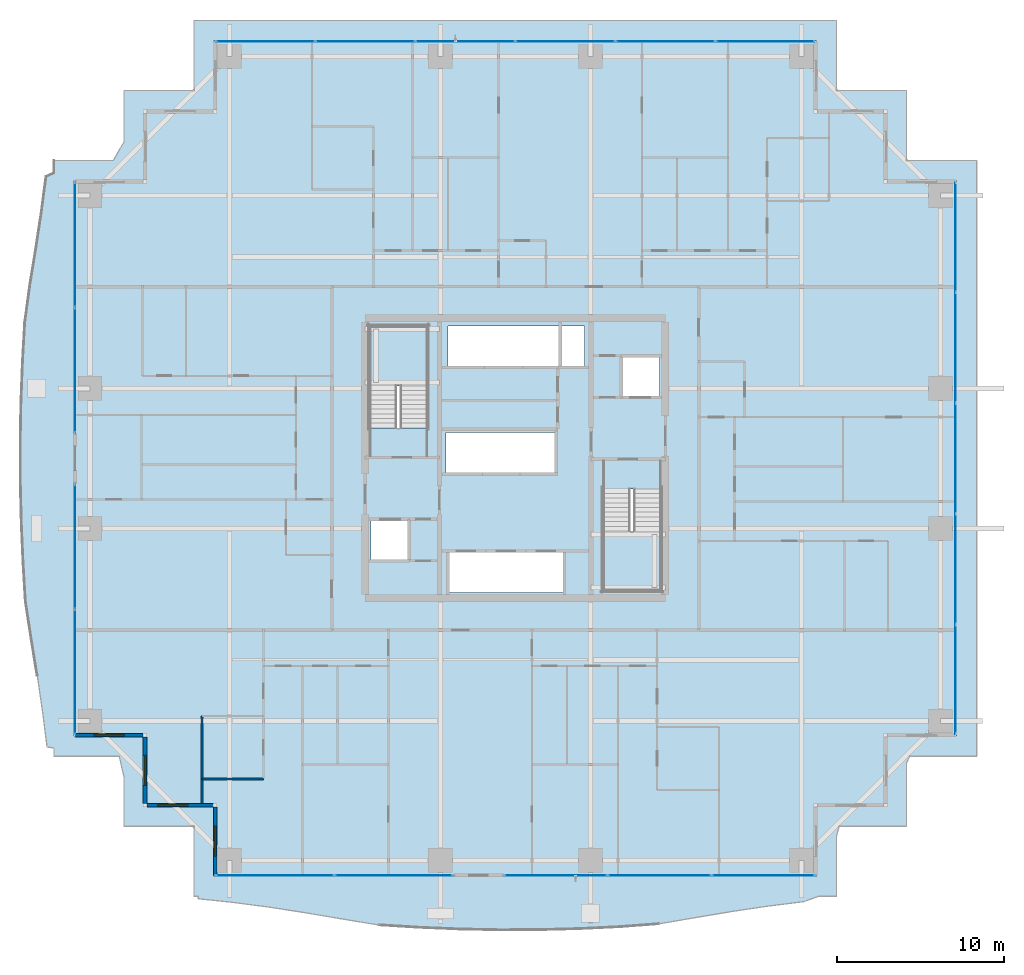
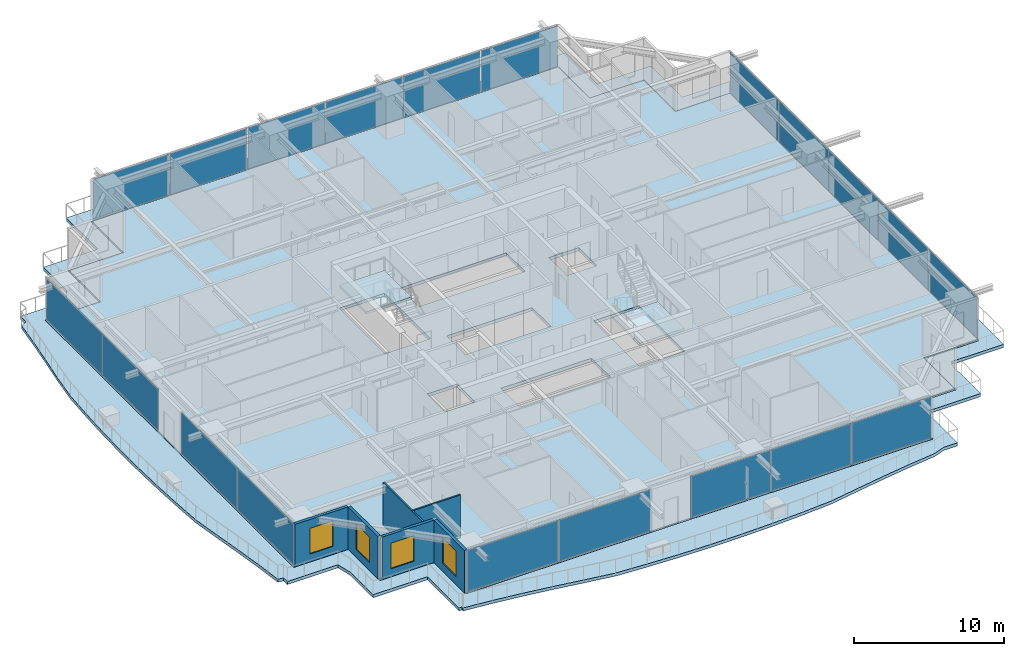
# One storey, part 26 of 41: 20 plates, 6 walls, 4 slabs, 4 windows, 4 openings, 8 elements without a shape of their own.
"""IFC4 building model written with IfcOpenShell, lengths in metres."""

from ifc_helpers import new_model, si_unit, direction, frame, frame_2d, origin, origin_2d, place, context, subcontext, project, spatial, polyline, rectangle, outline, extrude, source, transform, mapped, material, layer, layer_set, type_object, element, fill, aggregate, save


model = new_model("IFC4")

# Units and contexts
model_context = context("Model", 3, precision=1e-05, world=origin(), true_north=direction((0.0, 1.0)))
body_context = subcontext(model_context, "Body", "Model", "MODEL_VIEW")
ifc_project = project(units=[si_unit("LENGTHUNIT", "METRE"), si_unit("AREAUNIT", "SQUARE_METRE"), si_unit("VOLUMEUNIT", "CUBIC_METRE"), si_unit("PLANEANGLEUNIT", "RADIAN"), si_unit("MASSUNIT", "GRAM", prefix="KILO")], contexts=[model_context])

# Site, building, storey
site_placement = place(None, origin())
site = spatial("IfcSite", under=ifc_project, at=site_placement, CompositionType="ELEMENT")
building_placement = place(site_placement, origin())
building = spatial("IfcBuilding", under=site, at=building_placement, Name="Serunith Strait Residences", CompositionType="ELEMENT")
storey_placement = place(building_placement, frame((0.0, 0.0, 75.449951171875)))
storey = spatial("IfcBuildingStorey", under=building, at=storey_placement, Name="L18", CompositionType="ELEMENT", Elevation=75.449951171875)

# Slab
ifc_material_1 = material(Name="Concrete C50/60", Category="concrete")
ifc_layer_1 = layer(ifc_material_1, 0.239990234375, Name="Concrete C50/60")
ifc_layer_set_1 = layer_set([ifc_layer_1], Name="Concrete C50/60")
slab_type_1 = type_object("IfcSlabType", Name="SLB-BALC-240", PredefinedType="FLOOR", material=ifc_layer_set_1)
slab_1_placement = place(storey_placement, frame((0.0, 0.0, -0.2900390625)))
element("IfcSlab", 1, at=slab_1_placement, inside=storey, type_object=slab_type_1, Name="L18 Planted Vertical-Forest Balcony Slab", PredefinedType="FLOOR", context=body_context, shape_type="SweptSolid", body=[
    extrude(outline(polyline([(13.139892578125, 3.139892578125), (8.93994140625, 3.139892578125), (8.93994140625, 6.090087890625), (8.65380859375, 7.340087890625), (4.739990234375, 7.340087890625), (4.739990234375, 7.83349609375), (4.32421875, 7.90087890625), (4.052978515625, 10.033203125), (3.73486328125, 12.1884765625), (3.381591796875, 14.38232421875), (3.034423828125, 16.635009765625), (2.894287109375, 18.98779296875), (2.79150390625, 21.3681640625), (2.73388671875, 23.767333984375), (2.726318359375, 26.174072265625), (2.77001953125, 28.576416015625), (2.861083984375, 30.96240234375), (2.9931640625, 33.322265625), (3.30029296875, 35.597900390625), (3.65966796875, 37.801025390625), (3.98779296875, 39.962158203125), (4.270751953125, 42.09716796875), (4.739990234375, 42.312255859375), (4.739990234375, 43.06005859375), (8.298095703125, 43.06005859375), (8.93994140625, 44.181396484375), (8.93994140625, 47.260009765625), (13.139892578125, 47.260009765625), (13.139892578125, 51.4599609375), (51.659912109375, 51.4599609375), (51.659912109375, 47.260009765625), (55.860107421875, 47.260009765625), (55.860107421875, 43.06005859375), (60.06005859375, 43.06005859375), (60.06005859375, 7.340087890625), (56.041259765625, 7.340087890625), (55.860107421875, 6.9423828125), (55.860107421875, 3.139892578125), (51.8173828125, 3.139892578125), (51.659912109375, 2.547119140625), (51.659912109375, -1.06005859375), (50.57421875, -1.06005859375), (49.691650390625, -1.375244140625), (47.565185546875, -1.64111328125), (45.419189453125, -1.9609375), (43.23583984375, -2.3251953125), (40.99609375, -2.70947265625), (38.644775390625, -2.887451171875), (36.254150390625, -3.001220703125), (33.841552734375, -3.06494140625), (31.419921875, -3.072998046875), (29.003662109375, -3.0244140625), (26.606689453125, -2.923095703125), (24.23974609375, -2.778076171875), (21.98193359375, -2.409423828125), (19.789306640625, -2.036865234375), (17.63818359375, -1.705078125), (15.510009765625, -1.426513671875), (13.390380859375, -1.2021484375), (13.3916015625, -1.06005859375), (13.139892578125, -1.06005859375), (13.139892578125, 3.139892578125)]), holes=[polyline([(50.455078125, 0.14501953125), (50.455078125, 4.344970703125), (54.655029296875, 4.344970703125), (54.655029296875, 8.544921875), (58.85498046875, 8.544921875), (58.85498046875, 41.85498046875), (54.655029296875, 41.85498046875), (54.655029296875, 46.054931640625), (50.455078125, 46.054931640625), (50.455078125, 50.2548828125), (14.344970703125, 50.2548828125), (14.344970703125, 46.054931640625), (10.14501953125, 46.054931640625), (10.14501953125, 41.85498046875), (5.945068359375, 41.85498046875), (5.945068359375, 8.544921875), (10.14501953125, 8.544921875), (10.14501953125, 4.344970703125), (14.344970703125, 4.344970703125), (14.344970703125, 0.14501953125), (50.455078125, 0.14501953125)])]), origin(), (0.0, 0.0, 1.0), 0.239990234375),
])

# Stair, slab
stair_type_1 = type_object("IfcStairType", Name="STR-CORE-1", PredefinedType="HALF_TURN_STAIR", material=ifc_material_1)
stair_1_placement = place(storey_placement, origin())
stair_1 = element("IfcStair", 2, at=stair_1_placement, inside=storey, type_object=stair_type_1, Name="L18 Protected Escape Stair ST-1", PredefinedType="HALF_TURN_STAIR")
ifc_layer_2 = layer(ifc_material_1, 0.199951171875, Name="Concrete C50/60")
ifc_layer_set_2 = layer_set([ifc_layer_2], Name="Concrete C50/60")
slab_type_2 = type_object("IfcSlabType", Name="SLB-LAND-200", PredefinedType="LANDING", material=ifc_layer_set_2)
slab_2_placement = place(storey_placement, frame((0.0, 0.0, 1.675048828125)))
slab_2 = element("IfcSlab", 3, at=slab_2_placement, type_object=slab_type_2, Name="ST-1 landing 1", PredefinedType="LANDING", context=body_context, shape_type="SweptSolid", body=[
    extrude(outline(polyline([(27.14990234375, 29.550048828125), (27.14990234375, 33.14990234375), (23.64990234375, 33.14990234375), (23.64990234375, 29.550048828125), (27.14990234375, 29.550048828125)])), origin(), (0.0, 0.0, 1.0), 0.199951171875),
])
aggregate(stair_1, [slab_2])

stair_type_2 = type_object("IfcStairType", Name="STR-CORE-2", PredefinedType="HALF_TURN_STAIR", material=ifc_material_1)
stair_2_placement = place(storey_placement, origin())
stair_2 = element("IfcStair", 4, at=stair_2_placement, inside=storey, type_object=stair_type_2, Name="L18 Protected Escape Stair ST-2", PredefinedType="HALF_TURN_STAIR")
slab_3_placement = place(storey_placement, frame((0.0, 0.0, 1.675048828125)))
slab_3 = element("IfcSlab", 5, at=slab_3_placement, type_object=slab_type_2, Name="ST-2 landing 1", PredefinedType="LANDING", context=body_context, shape_type="SweptSolid", body=[
    extrude(outline(polyline([(37.64990234375, 20.85009765625), (37.64990234375, 17.25), (41.14990234375, 17.25), (41.14990234375, 20.85009765625), (37.64990234375, 20.85009765625)])), origin(), (0.0, 0.0, 1.0), 0.199951171875),
])
aggregate(stair_2, [slab_3])

# Slab
ifc_material_2 = material(Name="Concrete C60/75", Category="concrete")
ifc_layer_3 = layer(ifc_material_2, 0.260009765625, Name="Concrete C60/75")
ifc_layer_set_3 = layer_set([ifc_layer_3], Name="Concrete C60/75")
slab_type_3 = type_object("IfcSlabType", Name="SLB-TWR-260-Z1", PredefinedType="FLOOR", material=ifc_layer_set_3)
slab_4_placement = place(storey_placement, frame((0.0, 0.0, -0.260009765625)))
element("IfcSlab", 6, at=slab_4_placement, inside=storey, type_object=slab_type_3, Name="L18 Structural Floor Plate", PredefinedType="FLOOR", context=body_context, shape_type="SweptSolid", body=[
    extrude(outline(polyline([(14.39990234375, 4.39990234375), (10.199951171875, 4.39990234375), (10.199951171875, 8.60009765625), (6.0, 8.60009765625), (6.0, 41.800048828125), (10.199951171875, 41.800048828125), (10.199951171875, 46.0), (14.39990234375, 46.0), (14.39990234375, 50.199951171875), (50.39990234375, 50.199951171875), (50.39990234375, 46.0), (54.60009765625, 46.0), (54.60009765625, 41.800048828125), (58.800048828125, 41.800048828125), (58.800048828125, 8.60009765625), (54.60009765625, 8.60009765625), (54.60009765625, 4.39990234375), (50.39990234375, 4.39990234375), (50.39990234375, 0.199951171875), (14.39990234375, 0.199951171875), (14.39990234375, 4.39990234375)]), holes=[polyline([(41.14990234375, 17.25), (41.14990234375, 23.3701171875), (37.64990234375, 23.3701171875), (37.64990234375, 17.25), (41.14990234375, 17.25)]), polyline([(41.050048828125, 31.25), (38.75, 31.25), (38.75, 28.85009765625), (41.050048828125, 28.85009765625), (41.050048828125, 31.25)]), polyline([(36.550048828125, 33.14990234375), (28.35009765625, 33.14990234375), (28.35009765625, 30.64990234375), (36.550048828125, 30.64990234375), (36.550048828125, 33.14990234375)]), polyline([(28.35009765625, 19.64990234375), (28.35009765625, 17.14990234375), (35.35009765625, 17.14990234375), (35.35009765625, 19.64990234375), (28.35009765625, 19.64990234375)]), polyline([(34.85009765625, 26.75), (28.25, 26.75), (28.25, 24.25), (34.85009765625, 24.25), (34.85009765625, 26.75)]), polyline([(23.64990234375, 33.14990234375), (23.64990234375, 27.030029296875), (27.14990234375, 27.030029296875), (27.14990234375, 33.14990234375), (23.64990234375, 33.14990234375)]), polyline([(26.050048828125, 21.550048828125), (23.75, 21.550048828125), (23.75, 19.14990234375), (26.050048828125, 19.14990234375), (26.050048828125, 21.550048828125)])]), origin(), (0.0, 0.0, 1.0), 0.260009765625),
])

# Curtain wall, plates
ifc_material_3 = material(Name="Pale-Champagne Anodised Aluminium", Category="aluminium")
ifc_layer_4 = layer(ifc_material_3, 0.199951171875, Name="Pale-Champagne Anodised Aluminium")
ifc_layer_set_4 = layer_set([ifc_layer_4], Name="Pale-Champagne Anodised Aluminium")
curtain_wall_type = type_object("IfcCurtainWallType", Name="CW-SYS1", PredefinedType="NOTDEFINED", material=ifc_layer_set_4)
curtain_wall_1_placement = place(storey_placement, origin())
curtain_wall_1 = element("IfcCurtainWall", 7, at=curtain_wall_1_placement, inside=storey, type_object=curtain_wall_type, Name="L18 N Unitised Fritted Curtain Wall", PredefinedType="NOTDEFINED")
ifc_material_4 = material(Name="Ceramic-Fritted Low-E Double Glazing 28mm", Category="glass")
ifc_layer_5 = layer(ifc_material_4, 0.028076171875, Name="Ceramic-Fritted Low-E Double Glazing 28mm")
ifc_layer_set_5 = layer_set([ifc_layer_5], Name="Ceramic-Fritted Low-E Double Glazing 28mm")
plate_type = type_object("IfcPlateType", Name="CW-SYS1-PNL", PredefinedType="CURTAIN_PANEL", material=ifc_layer_set_5)
shared_shape_1 = source(origin(), body_context, "Body", "SweptSolid", [
    extrude(rectangle(XDim=5.89501953125, YDim=0.028076171875, at=origin_2d()), origin(), (0.0, 0.0, 1.0), 3.35498046875),
])
plate_1_placement = place(storey_placement, frame((47.382568359375, 50.199951171875, 0.06005859375), z_axis=(0.0, 0.0, 1.0), x_axis=(-1.0, 0.0, 0.0)))
plate_1 = element("IfcPlate", 8, at=plate_1_placement, type_object=plate_type, Name="CW-1 panel 1.1", PredefinedType="CURTAIN_PANEL", context=body_context, shape_type="MappedRepresentation", body=[
    mapped(shared_shape_1, transform((0.0, 0.0, 0.0), scale=1.0)),
])
plate_2_placement = place(storey_placement, frame((17.41748046875, 50.199951171875, 0.06005859375), z_axis=(0.0, 0.0, 1.0), x_axis=(-1.0, 0.0, 0.0)))
plate_2 = element("IfcPlate", 9, at=plate_2_placement, type_object=plate_type, Name="CW-1 panel 6.1", PredefinedType="CURTAIN_PANEL", context=body_context, shape_type="MappedRepresentation", body=[
    mapped(shared_shape_1, transform((0.0, 0.0, 0.0), scale=1.0)),
])
shared_shape_2 = source(origin(), body_context, "Body", "SweptSolid", [
    extrude(rectangle(XDim=5.929931640625, YDim=0.028076171875, at=origin_2d()), origin(), (0.0, 0.0, 1.0), 3.35498046875),
])
plate_3_placement = place(storey_placement, frame((41.39990234375, 50.199951171875, 0.06005859375), z_axis=(0.0, 0.0, 1.0), x_axis=(-1.0, 0.0, 0.0)))
plate_3 = element("IfcPlate", 10, at=plate_3_placement, type_object=plate_type, Name="CW-1 panel 2.1", PredefinedType="CURTAIN_PANEL", context=body_context, shape_type="MappedRepresentation", body=[
    mapped(shared_shape_2, transform((0.0, 0.0, 0.0), scale=1.0)),
])
plate_4_placement = place(storey_placement, frame((35.39990234375, 50.199951171875, 0.06005859375), z_axis=(0.0, 0.0, 1.0), x_axis=(-1.0, 0.0, 0.0)))
plate_4 = element("IfcPlate", 11, at=plate_4_placement, type_object=plate_type, Name="CW-1 panel 3.1", PredefinedType="CURTAIN_PANEL", context=body_context, shape_type="MappedRepresentation", body=[
    mapped(shared_shape_2, transform((0.0, 0.0, 0.0), scale=1.0)),
])
plate_5_placement = place(storey_placement, frame((29.39990234375, 50.199951171875, 0.06005859375), z_axis=(0.0, 0.0, 1.0), x_axis=(-1.0, 0.0, 0.0)))
plate_5 = element("IfcPlate", 12, at=plate_5_placement, type_object=plate_type, Name="CW-1 panel 4.1", PredefinedType="CURTAIN_PANEL", context=body_context, shape_type="MappedRepresentation", body=[
    mapped(shared_shape_2, transform((0.0, 0.0, 0.0), scale=1.0)),
])
plate_6_placement = place(storey_placement, frame((23.39990234375, 50.199951171875, 0.06005859375), z_axis=(0.0, 0.0, 1.0), x_axis=(-1.0, 0.0, 0.0)))
plate_6 = element("IfcPlate", 13, at=plate_6_placement, type_object=plate_type, Name="CW-1 panel 5.1", PredefinedType="CURTAIN_PANEL", context=body_context, shape_type="MappedRepresentation", body=[
    mapped(shared_shape_2, transform((0.0, 0.0, 0.0), scale=1.0)),
])
aggregate(curtain_wall_1, [plate_1, plate_3, plate_4, plate_5, plate_6, plate_2])

curtain_wall_2_placement = place(storey_placement, origin())
curtain_wall_2 = element("IfcCurtainWall", 14, at=curtain_wall_2_placement, inside=storey, type_object=curtain_wall_type, Name="L18 W Unitised Fritted Curtain Wall", PredefinedType="NOTDEFINED")
shared_shape_3 = source(origin(), body_context, "Body", "SweptSolid", [
    extrude(rectangle(XDim=7.445068359375, YDim=0.028076171875, at=origin_2d()), origin(), (0.0, 0.0, 1.0), 3.35498046875),
])
plate_7_placement = place(storey_placement, frame((6.0, 38.007568359375, 0.06005859375), z_axis=(0.0, 0.0, 1.0), x_axis=(0.0, -1.0, 0.0)))
plate_7 = element("IfcPlate", 15, at=plate_7_placement, type_object=plate_type, Name="CW-1 panel 1.1", PredefinedType="CURTAIN_PANEL", context=body_context, shape_type="MappedRepresentation", body=[
    mapped(shared_shape_3, transform((0.0, 0.0, 0.0), scale=1.0)),
])
plate_8_placement = place(storey_placement, frame((6.0, 30.492431640625, 0.06005859375), z_axis=(0.0, 0.0, 1.0), x_axis=(0.0, -1.0, 0.0)))
plate_8 = element("IfcPlate", 16, at=plate_8_placement, type_object=plate_type, Name="CW-1 panel 2.1", PredefinedType="CURTAIN_PANEL", context=body_context, shape_type="MappedRepresentation", body=[
    mapped(shared_shape_3, transform((0.0, 0.0, 0.0), scale=1.0)),
])
aggregate(curtain_wall_2, [plate_7, plate_8])

curtain_wall_3_placement = place(storey_placement, origin())
curtain_wall_3 = element("IfcCurtainWall", 17, at=curtain_wall_3_placement, inside=storey, type_object=curtain_wall_type, Name="L18 W Unitised Fritted Curtain Wall", PredefinedType="NOTDEFINED")
plate_9_placement = place(storey_placement, frame((6.0, 19.907470703125, 0.06005859375), z_axis=(0.0, 0.0, 1.0), x_axis=(0.0, -1.0, 0.0)))
plate_9 = element("IfcPlate", 18, at=plate_9_placement, type_object=plate_type, Name="CW-1 panel 1.1", PredefinedType="CURTAIN_PANEL", context=body_context, shape_type="MappedRepresentation", body=[
    mapped(shared_shape_3, transform((0.0, 0.0, 0.0), scale=1.0)),
])
plate_10_placement = place(storey_placement, frame((6.0, 12.392578125, 0.06005859375), z_axis=(0.0, 0.0, 1.0), x_axis=(0.0, -1.0, 0.0)))
plate_10 = element("IfcPlate", 19, at=plate_10_placement, type_object=plate_type, Name="CW-1 panel 2.1", PredefinedType="CURTAIN_PANEL", context=body_context, shape_type="MappedRepresentation", body=[
    mapped(shared_shape_3, transform((0.0, 0.0, 0.0), scale=1.0)),
])
aggregate(curtain_wall_3, [plate_9, plate_10])

curtain_wall_4_placement = place(storey_placement, origin())
curtain_wall_4 = element("IfcCurtainWall", 20, at=curtain_wall_4_placement, inside=storey, type_object=curtain_wall_type, Name="L18 E Unitised Fritted Curtain Wall", PredefinedType="NOTDEFINED")
shared_shape_4 = source(origin(), body_context, "Body", "SweptSolid", [
    extrude(rectangle(XDim=6.534912109375, YDim=0.028076171875, at=origin_2d()), origin(), (0.0, 0.0, 1.0), 3.35498046875),
])
plate_11_placement = place(storey_placement, frame((58.800048828125, 11.9375, 0.06005859375), z_axis=(0.0, 0.0, 1.0), x_axis=(0.0, 1.0, 0.0)))
plate_11 = element("IfcPlate", 21, at=plate_11_placement, type_object=plate_type, Name="CW-1 panel 1.1", PredefinedType="CURTAIN_PANEL", context=body_context, shape_type="MappedRepresentation", body=[
    mapped(shared_shape_4, transform((0.0, 0.0, 0.0), scale=1.0)),
])
plate_12_placement = place(storey_placement, frame((58.800048828125, 38.46240234375, 0.06005859375), z_axis=(0.0, 0.0, 1.0), x_axis=(0.0, 1.0, 0.0)))
plate_12 = element("IfcPlate", 22, at=plate_12_placement, type_object=plate_type, Name="CW-1 panel 5.1", PredefinedType="CURTAIN_PANEL", context=body_context, shape_type="MappedRepresentation", body=[
    mapped(shared_shape_4, transform((0.0, 0.0, 0.0), scale=1.0)),
])
shared_shape_5 = source(origin(), body_context, "Body", "SweptSolid", [
    extrude(rectangle(XDim=6.570068359375, YDim=0.028076171875, at=origin_2d()), origin(), (0.0, 0.0, 1.0), 3.35498046875),
])
plate_13_placement = place(storey_placement, frame((58.800048828125, 18.56005859375, 0.06005859375), z_axis=(0.0, 0.0, 1.0), x_axis=(0.0, 1.0, 0.0)))
plate_13 = element("IfcPlate", 23, at=plate_13_placement, type_object=plate_type, Name="CW-1 panel 2.1", PredefinedType="CURTAIN_PANEL", context=body_context, shape_type="MappedRepresentation", body=[
    mapped(shared_shape_5, transform((0.0, 0.0, 0.0), scale=1.0)),
])
plate_14_placement = place(storey_placement, frame((58.800048828125, 25.199951171875, 0.06005859375), z_axis=(0.0, 0.0, 1.0), x_axis=(0.0, 1.0, 0.0)))
plate_14 = element("IfcPlate", 24, at=plate_14_placement, type_object=plate_type, Name="CW-1 panel 3.1", PredefinedType="CURTAIN_PANEL", context=body_context, shape_type="MappedRepresentation", body=[
    mapped(shared_shape_5, transform((0.0, 0.0, 0.0), scale=1.0)),
])
plate_15_placement = place(storey_placement, frame((58.800048828125, 31.840087890625, 0.06005859375), z_axis=(0.0, 0.0, 1.0), x_axis=(0.0, 1.0, 0.0)))
plate_15 = element("IfcPlate", 25, at=plate_15_placement, type_object=plate_type, Name="CW-1 panel 4.1", PredefinedType="CURTAIN_PANEL", context=body_context, shape_type="MappedRepresentation", body=[
    mapped(shared_shape_5, transform((0.0, 0.0, 0.0), scale=1.0)),
])
aggregate(curtain_wall_4, [plate_11, plate_13, plate_14, plate_15, plate_12])

curtain_wall_5_placement = place(storey_placement, origin())
curtain_wall_5 = element("IfcCurtainWall", 26, at=curtain_wall_5_placement, inside=storey, type_object=curtain_wall_type, Name="L18 S Unitised Fritted Curtain Wall", PredefinedType="NOTDEFINED")
shared_shape_6 = source(origin(), body_context, "Body", "SweptSolid", [
    extrude(rectangle(XDim=7.044921875, YDim=0.028076171875, at=origin_2d()), origin(), (0.0, 0.0, 1.0), 3.35498046875),
])
plate_16_placement = place(storey_placement, frame((17.992431640625, 0.199951171875, 0.06005859375), z_axis=(0.0, 0.0, 1.0), x_axis=(1.0, 0.0, 0.0)))
plate_16 = element("IfcPlate", 27, at=plate_16_placement, type_object=plate_type, Name="CW-1 panel 1.1", PredefinedType="CURTAIN_PANEL", context=body_context, shape_type="MappedRepresentation", body=[
    mapped(shared_shape_6, transform((0.0, 0.0, 0.0), scale=1.0)),
])
plate_17_placement = place(storey_placement, frame((25.107421875, 0.199951171875, 0.06005859375), z_axis=(0.0, 0.0, 1.0), x_axis=(1.0, 0.0, 0.0)))
plate_17 = element("IfcPlate", 28, at=plate_17_placement, type_object=plate_type, Name="CW-1 panel 2.1", PredefinedType="CURTAIN_PANEL", context=body_context, shape_type="MappedRepresentation", body=[
    mapped(shared_shape_6, transform((0.0, 0.0, 0.0), scale=1.0)),
])
aggregate(curtain_wall_5, [plate_16, plate_17])

curtain_wall_6_placement = place(storey_placement, origin())
curtain_wall_6 = element("IfcCurtainWall", 29, at=curtain_wall_6_placement, inside=storey, type_object=curtain_wall_type, Name="L18 S Unitised Fritted Curtain Wall", PredefinedType="NOTDEFINED")
shared_shape_7 = source(origin(), body_context, "Body", "SweptSolid", [
    extrude(rectangle(XDim=6.12841796875, YDim=0.028076171875, at=origin_2d()), origin(), (0.0, 0.0, 1.0), 3.35498046875),
])
plate_18_placement = place(storey_placement, frame((34.834228515625, 0.199951171875, 0.06005859375), z_axis=(0.0, 0.0, 1.0), x_axis=(1.0, 0.0, 0.0)))
plate_18 = element("IfcPlate", 30, at=plate_18_placement, type_object=plate_type, Name="CW-1 panel 1.1", PredefinedType="CURTAIN_PANEL", context=body_context, shape_type="MappedRepresentation", body=[
    mapped(shared_shape_7, transform((0.0, 0.0, 0.0), scale=1.0)),
])
plate_19_placement = place(storey_placement, frame((47.265869140625, 0.199951171875, 0.06005859375), z_axis=(0.0, 0.0, 1.0), x_axis=(1.0, 0.0, 0.0)))
plate_19 = element("IfcPlate", 31, at=plate_19_placement, type_object=plate_type, Name="CW-1 panel 3.1", PredefinedType="CURTAIN_PANEL", context=body_context, shape_type="MappedRepresentation", body=[
    mapped(shared_shape_7, transform((0.0, 0.0, 0.0), scale=1.0)),
])
shared_shape_8 = source(origin(), body_context, "Body", "SweptSolid", [
    extrude(rectangle(XDim=6.163330078125, YDim=0.028076171875, at=origin_2d()), origin(), (0.0, 0.0, 1.0), 3.35498046875),
])
plate_20_placement = place(storey_placement, frame((41.050048828125, 0.199951171875, 0.06005859375), z_axis=(0.0, 0.0, 1.0), x_axis=(1.0, 0.0, 0.0)))
plate_20 = element("IfcPlate", 32, at=plate_20_placement, type_object=plate_type, Name="CW-1 panel 2.1", PredefinedType="CURTAIN_PANEL", context=body_context, shape_type="MappedRepresentation", body=[
    mapped(shared_shape_8, transform((0.0, 0.0, 0.0), scale=1.0)),
])
aggregate(curtain_wall_6, [plate_18, plate_20, plate_19])

# Wall, opening, window
ifc_material_5 = material(Name="Pale-Champagne Aluminium Insulated Panel", Category="aluminium")
ifc_layer_6 = layer(ifc_material_5, 0.219970703125, Name="Pale-Champagne Aluminium Insulated Panel")
ifc_layer_set_6 = layer_set([ifc_layer_6], Name="Pale-Champagne Aluminium Insulated Panel")
wall_type_1 = type_object("IfcWallType", Name="EW-ALUM-220", PredefinedType="ELEMENTEDWALL", material=ifc_layer_set_6)
wall_1_placement = place(storey_placement, frame((6.0, 8.60009765625, 0.0), z_axis=(0.0, 0.0, 1.0), x_axis=(1.0, 0.0, 0.0)))
wall_1 = element("IfcWall", 33, at=wall_1_placement, inside=storey, type_object=wall_type_1, Name="L18 Girih Serrated Corner Wall 17", PredefinedType="ELEMENTEDWALL", context=body_context, shape_type="SweptSolid", body=[
    extrude(rectangle(XDim=4.090087890625, YDim=0.219970703125, at=frame_2d((2.044921875, 0.0))), origin(), (0.0, 0.0, 1.0), 3.47509765625),
])
opening_1_placement = place(wall_1_placement, frame((1.14501953125, 0.0, 0.64990234375)))
opening_1 = element("IfcOpeningElement", 34, at=opening_1_placement, cuts=wall_1, Name="Opening W-01", PredefinedType="OPENING", context=body_context, shape_type="SweptSolid", body=[
    extrude(rectangle(XDim=1.800048828125, YDim=2.10009765625, at=frame_2d((0.89990234375, 1.050048828125))), frame((0.0, 0.1201171875, 0.0), z_axis=(0.0, -1.0, 0.0), x_axis=(1.0, 0.0, 0.0)), (0.0, 0.0, 1.0), 0.239990234375),
])
ifc_material_6 = material(Name="Ceramic-Fritted Operable Aluminium Window Glass", Category="aluminium")
window_type = type_object("IfcWindowType", Name="WIN-C1", PartitioningType="DOUBLE_PANEL_VERTICAL", PredefinedType="WINDOW", material=ifc_material_6)
shared_shape_9 = source(origin(), body_context, "Body", "SweptSolid", [
    extrude(rectangle(XDim=1.800048828125, YDim=2.10009765625, at=frame_2d((0.89990234375, 1.050048828125))), frame((0.0, 0.030029296875, 0.0), z_axis=(0.0, -1.0, 0.0), x_axis=(1.0, 0.0, 0.0)), (0.0, 0.0, 1.0), 0.06005859375),
])
window_1_placement = place(opening_1_placement, origin())
window_1 = element("IfcWindow", 35, at=window_1_placement, inside=storey, type_object=window_type, Name="L18 Corner Operable Fritted Window 17", OverallHeight=2.10009765625, OverallWidth=1.800048828125, PartitioningType="SINGLE_PANEL", PredefinedType="WINDOW", context=body_context, shape_type="MappedRepresentation", body=[
    mapped(shared_shape_9, transform((0.0, 0.0, 0.0), scale=1.0)),
])
fill(opening_1, window_1)

wall_2_placement = place(storey_placement, frame((10.199951171875, 8.489990234375, 0.0), z_axis=(0.0, 0.0, 1.0), x_axis=(0.0, -1.0, 0.0)))
wall_2 = element("IfcWall", 36, at=wall_2_placement, inside=storey, type_object=wall_type_1, Name="L18 Girih Serrated Corner Wall 18", PredefinedType="ELEMENTEDWALL", context=body_context, shape_type="SweptSolid", body=[
    extrude(rectangle(XDim=3.97998046875, YDim=0.219970703125, at=frame_2d((1.989990234375, 0.0))), origin(), (0.0, 0.0, 1.0), 3.47509765625),
])
opening_2_placement = place(wall_2_placement, frame((1.090087890625, 0.0, 0.64990234375)))
opening_2 = element("IfcOpeningElement", 37, at=opening_2_placement, cuts=wall_2, Name="Opening W-01", PredefinedType="OPENING", context=body_context, shape_type="SweptSolid", body=[
    extrude(rectangle(XDim=1.800048828125, YDim=2.10009765625, at=frame_2d((0.89990234375, 1.050048828125))), frame((0.0, 0.1201171875, 0.0), z_axis=(0.0, -1.0, 0.0), x_axis=(1.0, 0.0, 0.0)), (0.0, 0.0, 1.0), 0.239990234375),
])
window_2_placement = place(opening_2_placement, origin())
window_2 = element("IfcWindow", 38, at=window_2_placement, inside=storey, type_object=window_type, Name="L18 Corner Operable Fritted Window 18", OverallHeight=2.10009765625, OverallWidth=1.800048828125, PartitioningType="SINGLE_PANEL", PredefinedType="WINDOW", context=body_context, shape_type="MappedRepresentation", body=[
    mapped(shared_shape_9, transform((0.0, 0.0, 0.0), scale=1.0)),
])
fill(opening_2, window_2)

wall_3_placement = place(storey_placement, frame((10.31005859375, 4.39990234375, 0.0), z_axis=(0.0, 0.0, 1.0), x_axis=(1.0, 0.0, 0.0)))
wall_3 = element("IfcWall", 39, at=wall_3_placement, inside=storey, type_object=wall_type_1, Name="L18 Girih Serrated Corner Wall 19", PredefinedType="ELEMENTEDWALL", context=body_context, shape_type="SweptSolid", body=[
    extrude(rectangle(XDim=3.97998046875, YDim=0.219970703125, at=frame_2d((1.989990234375, 0.0))), origin(), (0.0, 0.0, 1.0), 3.47509765625),
])
opening_3_placement = place(wall_3_placement, frame((0.654052734375, 0.0, 0.64990234375)))
opening_3 = element("IfcOpeningElement", 40, at=opening_3_placement, cuts=wall_3, Name="Opening W-01", PredefinedType="OPENING", context=body_context, shape_type="SweptSolid", body=[
    extrude(rectangle(XDim=1.800048828125, YDim=2.10009765625, at=frame_2d((0.89990234375, 1.050048828125))), frame((0.0, 0.1201171875, 0.0), z_axis=(0.0, -1.0, 0.0), x_axis=(1.0, 0.0, 0.0)), (0.0, 0.0, 1.0), 0.239990234375),
])
window_3_placement = place(opening_3_placement, origin())
window_3 = element("IfcWindow", 41, at=window_3_placement, inside=storey, type_object=window_type, Name="L18 Corner Operable Fritted Window 19", OverallHeight=2.10009765625, OverallWidth=1.800048828125, PartitioningType="SINGLE_PANEL", PredefinedType="WINDOW", context=body_context, shape_type="MappedRepresentation", body=[
    mapped(shared_shape_9, transform((0.0, 0.0, 0.0), scale=1.0)),
])
fill(opening_3, window_3)

wall_4_placement = place(storey_placement, frame((14.39990234375, 4.2900390625, 0.0), z_axis=(0.0, 0.0, 1.0), x_axis=(0.0, -1.0, 0.0)))
wall_4 = element("IfcWall", 42, at=wall_4_placement, inside=storey, type_object=wall_type_1, Name="L18 Girih Serrated Corner Wall 20", PredefinedType="ELEMENTEDWALL", context=body_context, shape_type="SweptSolid", body=[
    extrude(rectangle(XDim=4.090087890625, YDim=0.219970703125, at=frame_2d((2.044921875, 0.0))), origin(), (0.0, 0.0, 1.0), 3.47509765625),
])
opening_4_placement = place(wall_4_placement, frame((1.14501953125, 0.0, 0.64990234375)))
opening_4 = element("IfcOpeningElement", 43, at=opening_4_placement, cuts=wall_4, Name="Opening W-01", PredefinedType="OPENING", context=body_context, shape_type="SweptSolid", body=[
    extrude(rectangle(XDim=1.800048828125, YDim=2.10009765625, at=frame_2d((0.89990234375, 1.050048828125))), frame((0.0, 0.1201171875, 0.0), z_axis=(0.0, -1.0, 0.0), x_axis=(1.0, 0.0, 0.0)), (0.0, 0.0, 1.0), 0.239990234375),
])
window_4_placement = place(opening_4_placement, origin())
window_4 = element("IfcWindow", 44, at=window_4_placement, inside=storey, type_object=window_type, Name="L18 Corner Operable Fritted Window 20", OverallHeight=2.10009765625, OverallWidth=1.800048828125, PartitioningType="SINGLE_PANEL", PredefinedType="WINDOW", context=body_context, shape_type="MappedRepresentation", body=[
    mapped(shared_shape_9, transform((0.0, 0.0, 0.0), scale=1.0)),
])
fill(opening_4, window_4)

# Walls
ifc_material_7 = material(Name="Lightweight steel-stud gypsum partition", Category="steel")
ifc_layer_7 = layer(ifc_material_7, 0.1201171875, Name="Lightweight steel-stud gypsum partition")
ifc_layer_set_7 = layer_set([ifc_layer_7], Name="Lightweight steel-stud gypsum partition")
wall_type_2 = type_object("IfcWallType", Name="IW-PART-120", PredefinedType="PARTITIONING", material=ifc_layer_set_7)
wall_5_placement = place(storey_placement, frame((13.60009765625, 5.97802734375, 0.0), z_axis=(0.0, 0.0, 1.0), x_axis=(1.0, 0.0, 0.0)))
element("IfcWall", 45, at=wall_5_placement, inside=storey, type_object=wall_type_2, Name="L18 Partition Wall 034", PredefinedType="PARTITIONING", context=body_context, shape_type="SweptSolid", body=[
    extrude(rectangle(XDim=3.699951171875, YDim=0.1201171875, at=frame_2d((1.85009765625, 0.0))), origin(), (0.0, 0.0, 1.0), 3.489990234375),
])
wall_6_placement = place(storey_placement, frame((13.60009765625, 4.4951171875, 0.0), z_axis=(0.0, 0.0, 1.0), x_axis=(0.0, 1.0, 0.0)))
element("IfcWall", 46, at=wall_6_placement, inside=storey, type_object=wall_type_2, Name="L18 Partition Wall 035", PredefinedType="PARTITIONING", context=body_context, shape_type="SweptSolid", body=[
    extrude(rectangle(XDim=5.266845703125, YDim=0.1201171875, at=frame_2d((2.63330078125, 0.0))), origin(), (0.0, 0.0, 1.0), 3.489990234375),
])

save(model, "model.ifc")
